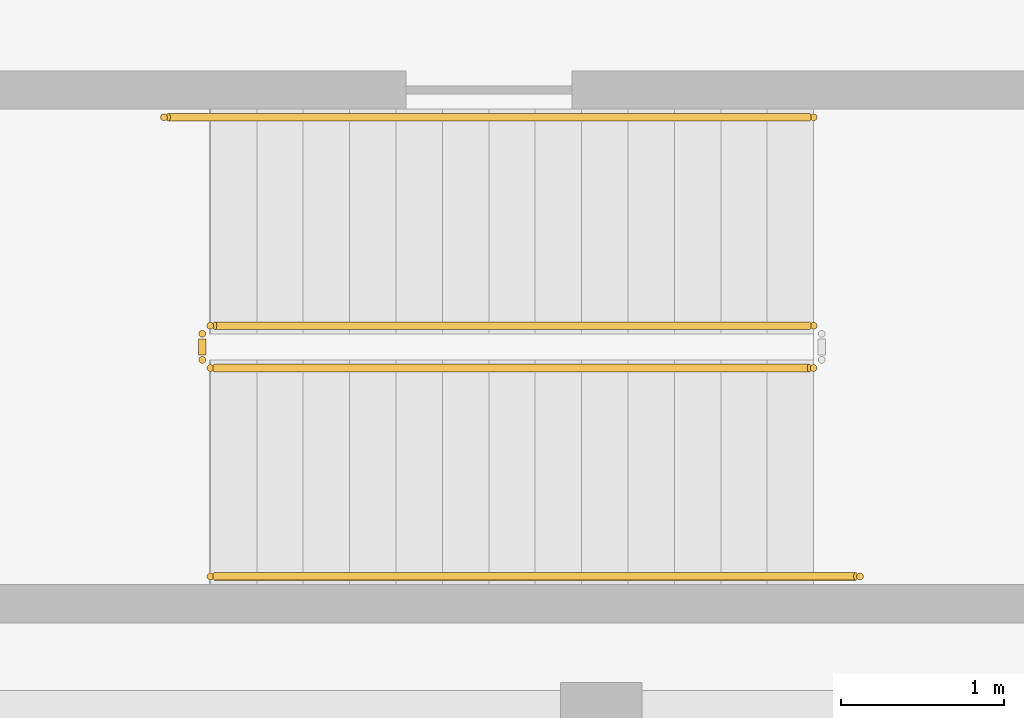
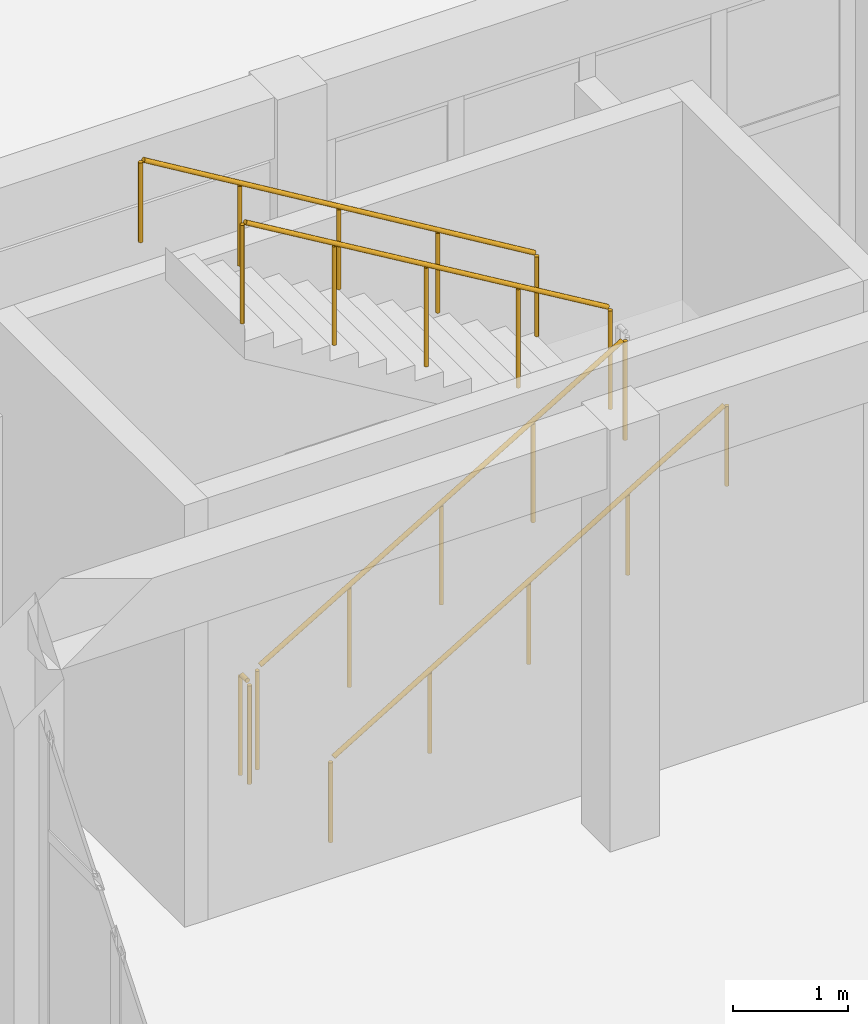
# One storey, part 114 of 132: 5 railings.
"""IFC4 building model written with IfcOpenShell, lengths in metres."""

from ifc_helpers import new_model, si_unit, direction, frame, origin, origin_2d, place, context, subcontext, project, spatial, circle, extrude, material, type_object, element, save


model = new_model("IFC4")

# Units and contexts
model_context = context("Model", 3, precision=1e-05, world=origin(), true_north=direction((0.0, 1.0)))
body_context = subcontext(model_context, "Body", "Model", "MODEL_VIEW")
ifc_project = project(units=[si_unit("LENGTHUNIT", "METRE"), si_unit("AREAUNIT", "SQUARE_METRE"), si_unit("VOLUMEUNIT", "CUBIC_METRE"), si_unit("PLANEANGLEUNIT", "RADIAN"), si_unit("MASSUNIT", "GRAM", prefix="KILO")], contexts=[model_context])

# Site, building, storey
site_placement = place(None, origin())
site = spatial("IfcSite", under=ifc_project, at=site_placement, CompositionType="ELEMENT")
building_placement = place(site_placement, origin())
building = spatial("IfcBuilding", under=site, at=building_placement, Name="Tanwirah Colonnade Gardens", CompositionType="ELEMENT")
storey_placement = place(building_placement, origin())
storey = spatial("IfcBuildingStorey", under=building, at=storey_placement, Name="L00", CompositionType="ELEMENT", Elevation=0.0)

# Railings
ifc_material_1 = material(Name="Powder-coated galvanized steel", Category="steel")
railing_type_1 = type_object("IfcRailingType", Name="GRD-ST110", PredefinedType="GUARDRAIL", material=ifc_material_1)
railing_1_placement = place(storey_placement, frame((69.60009765625, 24.580078125, 0.169921875)))
element("IfcRailing", 1, at=railing_1_placement, inside=storey, type_object=railing_type_1, Name="L00 ST-SW stair guard 1", PredefinedType="GUARDRAIL", context=body_context, shape_type="SweptSolid", body=[
    extrude(circle(Radius=0.02392578125, at=origin_2d()), frame((0.02685546875, 0.0, 1.092041015625), z_axis=(0.858813389417, 0.0, 0.512288553608), x_axis=(0.0, 1.0, 0.0)), (0.0, 0.0, 1.0), 4.25146484375),
    extrude(circle(Radius=0.02099609375, at=origin_2d()), origin(), (0.0, 0.0, 1.0), 1.049072265625),
    extrude(circle(Radius=0.02099609375, at=origin_2d()), frame((0.92626953125, 0.0, 0.552490234375)), (0.0, 0.0, 1.0), 1.049072265625),
    extrude(circle(Radius=0.02099609375, at=origin_2d()), frame((1.8525390625, 0.0, 1.10498046875)), (0.0, 0.0, 1.0), 1.049072265625),
    extrude(circle(Radius=0.02099609375, at=origin_2d()), frame((2.778564453125, 0.0, 1.657470703125)), (0.0, 0.0, 1.0), 1.049072265625),
    extrude(circle(Radius=0.02099609375, at=origin_2d()), frame((3.704833984375, 0.0, 2.2099609375)), (0.0, 0.0, 1.0), 1.049072265625),
])
railing_2_placement = place(storey_placement, frame((73.304931640625, 24.840087890625, 2.550048828125)))
element("IfcRailing", 2, at=railing_2_placement, inside=storey, type_object=railing_type_1, Name="L00 ST-SW stair guard 3", PredefinedType="GUARDRAIL", context=body_context, shape_type="SweptSolid", body=[
    extrude(circle(Radius=0.02392578125, at=origin_2d()), frame((-0.02685546875, 0.0, 1.092041015625), z_axis=(-0.858813389417, 0.0, 0.512288553608), x_axis=(0.0, -1.0, 0.0)), (0.0, 0.0, 1.0), 4.25146484375),
    extrude(circle(Radius=0.02099609375, at=origin_2d()), origin(), (0.0, 0.0, 1.0), 1.049072265625),
    extrude(circle(Radius=0.02099609375, at=origin_2d()), frame((-0.92626953125, 0.0, 0.552490234375)), (0.0, 0.0, 1.0), 1.049072265625),
    extrude(circle(Radius=0.02099609375, at=origin_2d()), frame((-1.8525390625, 0.0, 1.10498046875)), (0.0, 0.0, 1.0), 1.049072265625),
    extrude(circle(Radius=0.02099609375, at=origin_2d()), frame((-2.778564453125, 0.0, 1.657470703125)), (0.0, 0.0, 1.0), 1.049072265625),
    extrude(circle(Radius=0.02099609375, at=origin_2d()), frame((-3.704833984375, 0.0, 2.2099609375)), (0.0, 0.0, 1.0), 1.049072265625),
])
railing_3_placement = place(storey_placement, frame((69.550048828125, 24.6298828125, 0.0)))
element("IfcRailing", 3, at=railing_3_placement, inside=storey, type_object=railing_type_1, Name="L00 ST-SW stair guard 4", PredefinedType="GUARDRAIL", context=body_context, shape_type="SweptSolid", body=[
    extrude(circle(Radius=0.02392578125, at=origin_2d()), frame((0.0, 0.03125, 1.076171875), z_axis=(0.0, 1.0, 0.0), x_axis=(-1.0, 0.0, 0.0)), (0.0, 0.0, 1.0), 0.09765625),
    extrude(circle(Radius=0.02099609375, at=origin_2d()), origin(), (0.0, 0.0, 1.0), 1.049072265625),
    extrude(circle(Radius=0.02099609375, at=origin_2d()), frame((0.0, 0.16015625, 0.0)), (0.0, 0.0, 1.0), 1.049072265625),
])
ifc_material_2 = material(Name="Brushed bronze stainless steel", Category="steel")
railing_type_2 = type_object("IfcRailingType", Name="HR-ST090", PredefinedType="HANDRAIL", material=ifc_material_2)
railing_4_placement = place(storey_placement, frame((69.60009765625, 23.300048828125, 0.169921875)))
element("IfcRailing", 4, at=railing_4_placement, inside=storey, type_object=railing_type_2, Name="L00 ST-SW stair handrail 1", PredefinedType="HANDRAIL", context=body_context, shape_type="SweptSolid", body=[
    extrude(circle(Radius=0.02392578125, at=origin_2d()), frame((0.02685546875, 0.0, 0.891845703125), z_axis=(0.857094710663, 0.0, 0.515158865743), x_axis=(0.0, 1.0, 0.0)), (0.0, 0.0, 1.0), 4.5927734375),
    extrude(circle(Radius=0.02099609375, at=origin_2d()), origin(), (0.0, 0.0, 1.0), 0.848876953125),
    extrude(circle(Radius=0.02099609375, at=origin_2d()), frame((0.99755859375, 0.0, 0.599609375)), (0.0, 0.0, 1.0), 0.848876953125),
    extrude(circle(Radius=0.02099609375, at=origin_2d()), frame((1.9951171875, 0.0, 1.19921875)), (0.0, 0.0, 1.0), 0.848876953125),
    extrude(circle(Radius=0.02099609375, at=origin_2d()), frame((2.992431640625, 0.0, 1.798583984375)), (0.0, 0.0, 1.0), 0.848876953125),
    extrude(circle(Radius=0.02099609375, at=origin_2d()), frame((3.989990234375, 0.0, 2.398193359375)), (0.0, 0.0, 1.0), 0.848876953125),
])
railing_5_placement = place(storey_placement, frame((73.304931640625, 26.1201171875, 2.550048828125)))
element("IfcRailing", 5, at=railing_5_placement, inside=storey, type_object=railing_type_2, Name="L00 ST-SW stair handrail 2", PredefinedType="HANDRAIL", context=body_context, shape_type="SweptSolid", body=[
    extrude(circle(Radius=0.02392578125, at=origin_2d()), frame((-0.02685546875, 0.0, 0.891845703125), z_axis=(-0.857117866608, 0.0, 0.515120338116), x_axis=(0.0, -1.0, 0.0)), (0.0, 0.0, 1.0), 4.592529296875),
    extrude(circle(Radius=0.02099609375, at=origin_2d()), origin(), (0.0, 0.0, 1.0), 0.848876953125),
    extrude(circle(Radius=0.02099609375, at=origin_2d()), frame((-0.99755859375, 0.0, 0.599609375)), (0.0, 0.0, 1.0), 0.848876953125),
    extrude(circle(Radius=0.02099609375, at=origin_2d()), frame((-1.9951171875, 0.0, 1.198974609375)), (0.0, 0.0, 1.0), 0.848876953125),
    extrude(circle(Radius=0.02099609375, at=origin_2d()), frame((-2.992431640625, 0.0, 1.79833984375)), (0.0, 0.0, 1.0), 0.848876953125),
    extrude(circle(Radius=0.02099609375, at=origin_2d()), frame((-3.989990234375, 0.0, 2.39794921875)), (0.0, 0.0, 1.0), 0.848876953125),
])

save(model, "model.ifc")
